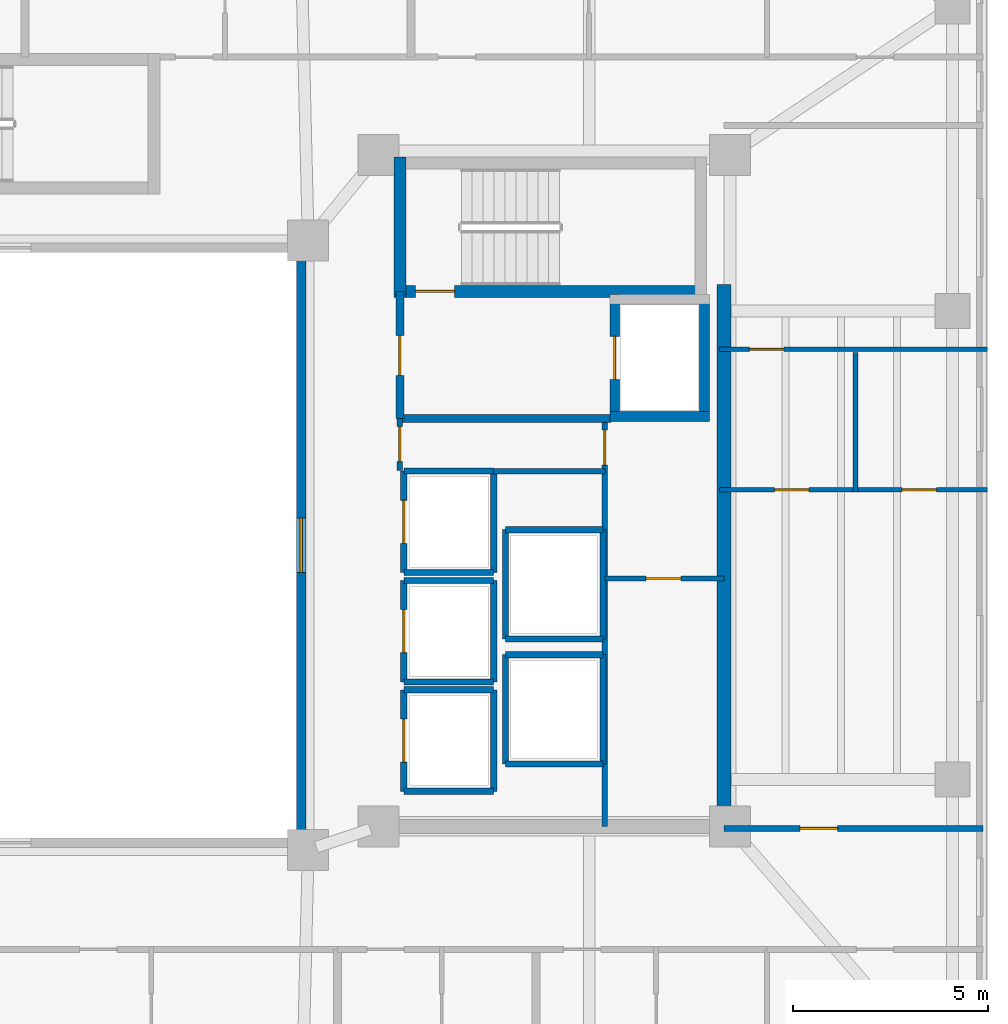
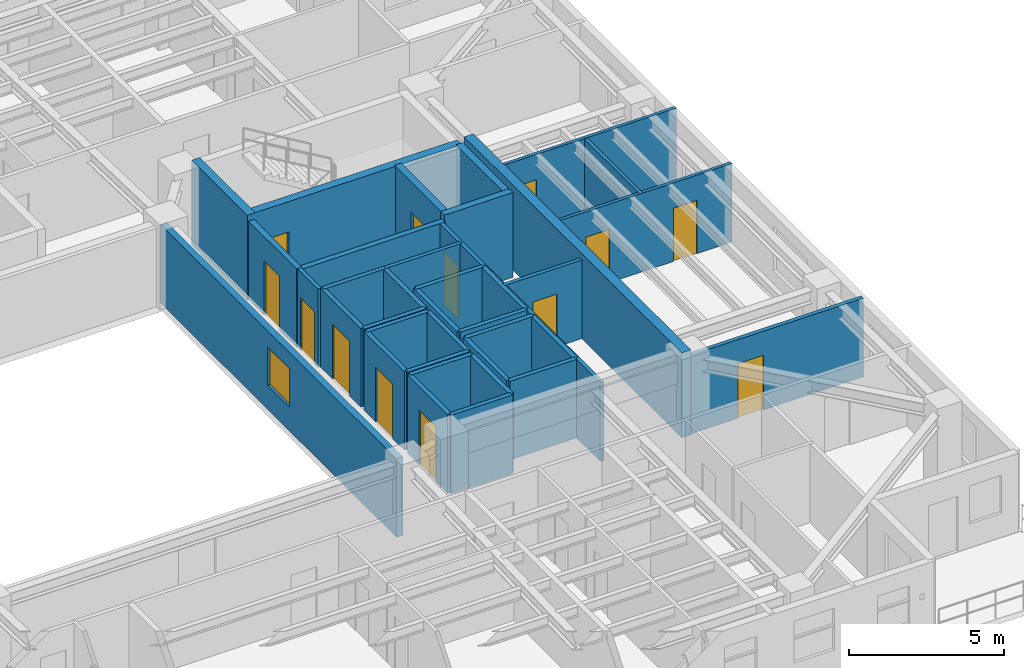
# One storey, part 9 of 17: 37 walls, 13 doors, 1 window, 14 openings.
"""IFC4 building model written with IfcOpenShell, lengths in metres."""

import ifcopenshell
import ifcopenshell.guid

model = None  # the IFC model being written
_history = None  # IfcOwnerHistory: only IFC2X3 demands one
_inside = {}  # id of a spatial element -> (the spatial element, [elements in it])
_under = {}  # id of a project, library or spatial element -> (it, [spatial elements below it])
_declared = {}  # id of a project -> (the project, [libraries it declares])
_typed = {}  # id of a type object -> (the type object, [elements of that type])
_made_of = {}  # id of a material, layer set ... -> (it, [elements and type objects made of it])


def new_model(schema):
    """Start an empty IFC model of exactly this schema.

    Asked for "IFC4X3", IfcOpenShell would pick the latest addendum, in which some entities
    have other attributes; the version numbers below select the first issue.
    IFC2X3 requires an IfcOwnerHistory on every rooted entity: one is made here for all.
    """
    global model, _history
    if schema == "IFC4X3":
        model = ifcopenshell.file(schema_version=(4, 3, 0, 0))
    else:
        model = ifcopenshell.file(schema=schema)
    _inside.clear()
    _under.clear()
    _declared.clear()
    _typed.clear()
    _made_of.clear()
    _history = None
    if model.schema == "IFC2X3":
        org = make("IfcOrganization", Name="unknown")
        user = make(
            "IfcPersonAndOrganization",
            ThePerson=make("IfcPerson", FamilyName="unknown"),
            TheOrganization=org,
        )
        app = make(
            "IfcApplication",
            ApplicationDeveloper=org,
            Version="unknown",
            ApplicationFullName="unknown",
            ApplicationIdentifier="unknown",
        )
        _history = make(
            "IfcOwnerHistory",
            OwningUser=user,
            OwningApplication=app,
            ChangeAction="ADDED",
            CreationDate=0,
        )
    return model


def make(cls, **values):
    """One entity of the class cls with the attributes given. An attribute that is None is left unset."""
    return model.create_entity(
        cls, **{name: value for name, value in values.items() if value is not None}
    )


def rooted(cls, **values):
    """An entity with a GlobalId (a new one), such as an element, a storey or a relation."""
    return make(cls, GlobalId=ifcopenshell.guid.new(), OwnerHistory=_history, **values)


def si_unit(unit_type, name, prefix=None):
    """IfcSIUnit, for example si_unit("LENGTHUNIT", "METRE", prefix="MILLI")."""
    return make("IfcSIUnit", UnitType=unit_type, Prefix=prefix, Name=name)


def assignment(units):
    """IfcUnitAssignment: the units of a project."""
    return None if units is None else make("IfcUnitAssignment", Units=units)


def point(xyz):
    """IfcCartesianPoint."""
    return None if xyz is None else make("IfcCartesianPoint", Coordinates=xyz)


def direction(xyz):
    """IfcDirection."""
    return None if xyz is None else make("IfcDirection", DirectionRatios=xyz)


def frame(location, z_axis=None, x_axis=None):
    """IfcAxis2Placement3D, a coordinate frame: its origin and axes. An axis left out is left unset."""
    return make(
        "IfcAxis2Placement3D",
        Location=point(location),
        Axis=direction(z_axis),
        RefDirection=direction(x_axis),
    )


def frame_2d(location, x_axis=None):
    """IfcAxis2Placement2D, a coordinate frame in the plane: its origin and x axis."""
    return make(
        "IfcAxis2Placement2D", Location=point(location), RefDirection=direction(x_axis)
    )


def origin():
    """The frame at (0, 0, 0) with its axes left unset."""
    return frame((0.0, 0.0, 0.0))


def place(relative_to, where):
    """IfcLocalPlacement: puts the frame where relative to a parent placement (None: the world)."""
    return make(
        "IfcLocalPlacement", PlacementRelTo=relative_to, RelativePlacement=where
    )


def context(
    kind, dimensions, precision=None, world=None, true_north=None, identifier=None
):
    """IfcGeometricRepresentationContext, for example the 3D "Model" context."""
    return make(
        "IfcGeometricRepresentationContext",
        ContextIdentifier=identifier,
        ContextType=kind,
        CoordinateSpaceDimension=dimensions,
        Precision=precision,
        WorldCoordinateSystem=world,
        TrueNorth=true_north,
    )


def subcontext(parent, identifier, kind, view, scale=None):
    """IfcGeometricRepresentationSubContext, for example "Body" below "Model"."""
    return make(
        "IfcGeometricRepresentationSubContext",
        ContextIdentifier=identifier,
        ContextType=kind,
        ParentContext=parent,
        TargetScale=scale,
        TargetView=view,
    )


def project(units=None, contexts=None):
    """IfcProject with its units and contexts."""
    return rooted(
        "IfcProject",
        Name="project",
        RepresentationContexts=contexts,
        UnitsInContext=assignment(units),
    )


def spatial(cls, under=None, at=None, **own):
    """A site, building, storey or space (cls), placed at a placement, below another one or the project."""
    s = rooted(cls, ObjectPlacement=at, **own)
    if under is not None:
        _under.setdefault(under.id(), (under, []))[1].append(s)
    return s


def profile(cls, at=None, kind="AREA", **sizes):
    """A parametric profile (cls). Its sizes go by their IFC names, for example OverallWidth=200.0."""
    return make(cls, ProfileType=kind, Position=at, **sizes)


def rectangle(**sizes):
    """IfcRectangleProfileDef."""
    return profile("IfcRectangleProfileDef", **sizes)


def extrude(swept, where, along, depth):
    """IfcExtrudedAreaSolid: the profile swept, set in the frame where, extruded along a direction by depth."""
    return make(
        "IfcExtrudedAreaSolid",
        SweptArea=swept,
        Position=where,
        ExtrudedDirection=direction(along),
        Depth=depth,
    )


def shape(context_of_items, identifier, shape_type, items):
    """IfcShapeRepresentation: the items that make up one representation, for example the "Body"."""
    return make(
        "IfcShapeRepresentation",
        ContextOfItems=context_of_items,
        RepresentationIdentifier=identifier,
        RepresentationType=shape_type,
        Items=items,
    )


def material(Name=None, Category=None):
    """IfcMaterial."""
    return make("IfcMaterial", Name=Name, Category=Category)


def layer(
    of_material, thickness, ventilated=None, Name=None, Category=None, Priority=None
):
    """IfcMaterialLayer: one layer of a wall or slab, of a material (None: an air gap)."""
    return make(
        "IfcMaterialLayer",
        Material=of_material,
        LayerThickness=thickness,
        IsVentilated=ventilated,
        Name=Name,
        Category=Category,
        Priority=Priority,
    )


def layer_set(layers, Name=None):
    """IfcMaterialLayerSet."""
    return make("IfcMaterialLayerSet", MaterialLayers=layers, LayerSetName=Name)


def made_of(thing, what):
    """Note that an element or type object is made of a material, layer set ...; save() writes the relation."""
    if what is not None:
        _made_of.setdefault(what.id(), (what, []))[1].append(thing)
    return thing


def type_object(cls, material=None, **own):
    """A type object (cls), such as IfcWallType, which elements share."""
    return made_of(rooted(cls, **own), material)


def element(
    cls,
    number,
    at=None,
    inside=None,
    cuts=None,
    type_object=None,
    material=None,
    context=None,
    identifier="Body",
    shape_type=None,
    held_by="IfcProductDefinitionShape",
    body=None,
    shapes=None,
    **own,
):
    """One element of the class cls, such as IfcWall. Its Tag is "e" and its number.

    at: its placement. inside: the storey or other place that contains it. cuts: it is an
    opening in that element (IfcRelVoidsElement). A single representation is given by context,
    identifier, shape_type and body (its items); several are given by shapes. held_by: the class
    of the entity that holds the representations. save() writes the other relations.
    """
    e = rooted(cls, Tag="e%d" % number, ObjectPlacement=at, **own)
    if body is not None:
        shapes = [shape(context, identifier, shape_type, body)]
    if shapes is not None:
        e.Representation = make(held_by, Representations=shapes)
    if inside is not None:
        _inside.setdefault(inside.id(), (inside, []))[1].append(e)
    if cuts is not None:
        rooted(
            "IfcRelVoidsElement", RelatingBuildingElement=cuts, RelatedOpeningElement=e
        )
    if type_object is not None:
        _typed.setdefault(type_object.id(), (type_object, []))[1].append(e)
    return made_of(e, material)


def fill(opening, filler):
    """IfcRelFillsElement: the door or window that sits in an opening."""
    return rooted(
        "IfcRelFillsElement",
        RelatingOpeningElement=opening,
        RelatedBuildingElement=filler,
    )


def aggregate(whole, parts):
    """IfcRelAggregates: a whole, such as a stair, and the parts it consists of."""
    return rooted("IfcRelAggregates", RelatingObject=whole, RelatedObjects=parts)


def save(model, path):
    """Write the relations noted so far, then the file.

    IfcRelAggregates (storeys below a building ...), IfcRelContainedInSpatialStructure (elements
    in a storey), IfcRelDefinesByType, IfcRelAssociatesMaterial and IfcRelDeclares: one each for
    every whole, place, type object, material and project.
    """
    for whole, parts in _under.values():
        aggregate(whole, parts)
    for where, things in _inside.values():
        rooted(
            "IfcRelContainedInSpatialStructure",
            RelatedElements=things,
            RelatingStructure=where,
        )
    for kind, things in _typed.values():
        rooted("IfcRelDefinesByType", RelatedObjects=things, RelatingType=kind)
    for what, things in _made_of.values():
        rooted("IfcRelAssociatesMaterial", RelatedObjects=things, RelatingMaterial=what)
    for by, libraries in _declared.values():
        rooted("IfcRelDeclares", RelatingContext=by, RelatedDefinitions=libraries)
    model.write(path)


model = new_model("IFC4")

# Units and contexts
model_context = context("Model", 3, precision=1e-05, world=origin(), true_north=direction((0.0, 1.0)))
body_context = subcontext(model_context, "Body", "Model", "MODEL_VIEW")
ifc_project = project(units=[si_unit("LENGTHUNIT", "METRE"), si_unit("AREAUNIT", "SQUARE_METRE"), si_unit("VOLUMEUNIT", "CUBIC_METRE"), si_unit("PLANEANGLEUNIT", "RADIAN"), si_unit("MASSUNIT", "GRAM", prefix="KILO")], contexts=[model_context])

# Site, building, storey
site_placement = place(None, origin())
site = spatial("IfcSite", under=ifc_project, at=site_placement, CompositionType="ELEMENT")
building_placement = place(site_placement, origin())
building = spatial("IfcBuilding", under=site, at=building_placement, Name="Tarnavaz Court Tower", CompositionType="ELEMENT")
storey_placement = place(building_placement, frame((0.0, 0.0, 132.60009765625)))
storey = spatial("IfcBuildingStorey", under=building, at=storey_placement, Name="L35", CompositionType="ELEMENT", Elevation=132.60009765625)

# Wall, opening, door
ifc_material_1 = material(Name="Concrete C50/60", Category="concrete")
ifc_layer_1 = layer(ifc_material_1, 0.25)
ifc_layer_set_1 = layer_set([ifc_layer_1], Name="Concrete C50/60")
wall_type_1 = type_object("IfcWallType", Name="WL-CORE-250-C50", PredefinedType="SHEAR", material=ifc_layer_set_1)
wall_1_placement = place(storey_placement, frame((15.64990234375, 3.175048828125, 0.0), z_axis=(0.0, 0.0, 1.0), x_axis=(0.0, 1.0, 0.0)))
wall_1 = element("IfcWall", 1, at=wall_1_placement, inside=storey, type_object=wall_type_1, Name="L35 Lift FL-E1 Shaft Wall 033", PredefinedType="SHEAR", context=body_context, shape_type="SweptSolid", body=[
    extrude(rectangle(XDim=3.25, YDim=0.25, at=frame_2d((1.625, 0.0))), origin(), (0.0, 0.0, 1.0), 3.349853515625),
])
opening_1_placement = place(wall_1_placement, frame((1.074951171875, 0.0, 0.0)))
opening_1 = element("IfcOpeningElement", 2, at=opening_1_placement, cuts=wall_1, Name="Opening LD1", PredefinedType="OPENING", context=body_context, shape_type="SweptSolid", body=[
    extrude(rectangle(XDim=1.10009765625, YDim=2.14990234375, at=frame_2d((0.550048828125, 1.074951171875))), frame((0.0, 0.135009765625, 0.0), z_axis=(0.0, -1.0, 0.0), x_axis=(1.0, 0.0, 0.0)), (0.0, 0.0, 1.0), 0.27001953125),
])
ifc_material_2 = material(Name="Stainless Steel", Category="steel")
door_type_1 = type_object("IfcDoorType", Name="DR-LD-1100", OperationType="NOTDEFINED", PredefinedType="DOOR", material=ifc_material_2)
door_1_placement = place(opening_1_placement, origin())
door_1 = element("IfcDoor", 3, at=door_1_placement, inside=storey, type_object=door_type_1, Name="L35 Lift Landing Door LD-FL-E1", OperationType="SLIDING_TO_LEFT", OverallHeight=2.14990234375, OverallWidth=1.10009765625, PredefinedType="DOOR", context=body_context, shape_type="SweptSolid", body=[
    extrude(rectangle(XDim=1.10009765625, YDim=2.14990234375, at=frame_2d((0.550048828125, 1.074951171875))), frame((0.0, 0.02490234375, 0.0), z_axis=(0.0, -1.0, 0.0), x_axis=(1.0, 0.0, 0.0)), (0.0, 0.0, 1.0), 0.050048828125),
])
fill(opening_1, door_1)

# Walls
wall_2_placement = place(storey_placement, frame((17.949951171875, 3.175048828125, 0.0), z_axis=(0.0, 0.0, 1.0), x_axis=(0.0, 1.0, 0.0)))
element("IfcWall", 4, at=wall_2_placement, inside=storey, type_object=wall_type_1, Name="L35 Lift FL-E1 Shaft Wall 034", PredefinedType="SHEAR", context=body_context, shape_type="SweptSolid", body=[
    extrude(rectangle(XDim=3.25, YDim=0.25, at=frame_2d((1.625, 0.0))), origin(), (0.0, 0.0, 1.0), 3.349853515625),
])
wall_3_placement = place(storey_placement, frame((15.52490234375, 3.300048828125, 0.0), z_axis=(0.0, 0.0, 1.0), x_axis=(1.0, 0.0, 0.0)))
element("IfcWall", 5, at=wall_3_placement, inside=storey, type_object=wall_type_1, Name="L35 Lift FL-E1 Shaft Wall 035", PredefinedType="SHEAR", context=body_context, shape_type="SweptSolid", body=[
    extrude(rectangle(XDim=2.550048828125, YDim=0.25, at=frame_2d((1.27490234375, 0.0))), origin(), (0.0, 0.0, 1.0), 3.349853515625),
])

# Wall, opening, door
ifc_layer_2 = layer(ifc_material_1, 0.300048828125)
ifc_layer_set_2 = layer_set([ifc_layer_2], Name="Concrete C50/60")
wall_type_2 = type_object("IfcWallType", Name="WL-CORE-300-C50", PredefinedType="SHEAR", material=ifc_layer_set_2)
wall_4_placement = place(storey_placement, frame((10.0, 6.5, 0.0), z_axis=(0.0, 0.0, 1.0), x_axis=(1.0, 0.0, 0.0)))
wall_4 = element("IfcWall", 6, at=wall_4_placement, inside=storey, type_object=wall_type_2, Name="L35 East Stair Core Wall 006", PredefinedType="SHEAR", context=body_context, shape_type="SweptSolid", body=[
    extrude(rectangle(XDim=8.0, YDim=0.300048828125, at=frame_2d((4.0, 0.0))), origin(), (0.0, 0.0, 1.0), 3.349853515625),
])
opening_2_placement = place(wall_4_placement, frame((0.550048828125, 0.0, 0.0)))
opening_2 = element("IfcOpeningElement", 7, at=opening_2_placement, cuts=wall_4, Name="Opening D01", PredefinedType="OPENING", context=body_context, shape_type="SweptSolid", body=[
    extrude(rectangle(XDim=1.0, YDim=2.14990234375, at=frame_2d((0.5, 1.074951171875))), frame((0.0, 0.159912109375, 0.0), z_axis=(0.0, -1.0, 0.0), x_axis=(1.0, 0.0, 0.0)), (0.0, 0.0, 1.0), 0.320068359375),
])
ifc_material_3 = material(Name="Fire-Rated Hardwood Timber Core", Category="wood")
door_type_2 = type_object("IfcDoorType", Name="DR-FD90-1000", OperationType="NOTDEFINED", PredefinedType="DOOR", material=ifc_material_3)
door_2_placement = place(opening_2_placement, origin())
door_2 = element("IfcDoor", 8, at=door_2_placement, inside=storey, type_object=door_type_2, Name="L35 Stair ST-E1 Exit Door", OperationType="SINGLE_SWING_RIGHT", OverallHeight=2.14990234375, OverallWidth=1.0, PredefinedType="DOOR", context=body_context, shape_type="SweptSolid", body=[
    extrude(rectangle(XDim=1.0, YDim=2.14990234375, at=frame_2d((0.5, 1.074951171875))), frame((0.0, 0.02490234375, 0.0), z_axis=(0.0, -1.0, 0.0), x_axis=(1.0, 0.0, 0.0)), (0.0, 0.0, 1.0), 0.050048828125),
])
fill(opening_2, door_2)

# Walls
wall_5_placement = place(storey_placement, frame((10.14990234375, 6.35009765625, 0.0), z_axis=(0.0, 0.0, 1.0), x_axis=(0.0, 1.0, 0.0)))
element("IfcWall", 9, at=wall_5_placement, inside=storey, type_object=wall_type_2, Name="L35 East Stair Core Wall 007", PredefinedType="SHEAR", context=body_context, shape_type="SweptSolid", body=[
    extrude(rectangle(XDim=3.58984375, YDim=0.300048828125, at=frame_2d((1.794921875, 0.0))), origin(), (0.0, 0.0, 1.0), 3.349853515625),
])
ifc_layer_3 = layer(ifc_material_1, 0.35009765625)
ifc_layer_set_3 = layer_set([ifc_layer_3], Name="Concrete C50/60")
wall_type_3 = type_object("IfcWallType", Name="WL-CORE-350-C50", PredefinedType="SHEAR", material=ifc_layer_set_3)
wall_6_placement = place(storey_placement, frame((18.449951171875, -7.375, 0.0), z_axis=(0.0, 0.0, 1.0), x_axis=(0.0, 1.0, 0.0)))
element("IfcWall", 10, at=wall_6_placement, inside=storey, type_object=wall_type_3, Name="L35 East Core Shear Wall 059", PredefinedType="SHEAR", context=body_context, shape_type="SweptSolid", body=[
    extrude(rectangle(XDim=14.050048828125, YDim=0.35009765625, at=frame_2d((7.02490234375, 0.0))), origin(), (0.0, 0.0, 1.0), 3.349853515625),
])

# Wall, opening, door
ifc_material_4 = material(Name="Gypsum Fire-Board on Acoustic Metal Stud", Category="masonry")
ifc_layer_4 = layer(ifc_material_4, 0.14990234375)
ifc_layer_set_4 = layer_set([ifc_layer_4], Name="Gypsum Fire-Board on Acoustic Metal Stud")
wall_type_4 = type_object("IfcWallType", Name="WL-FIRE-150", PredefinedType="PARTITIONING", material=ifc_layer_set_4)
wall_7_placement = place(storey_placement, frame((18.449951171875, -7.25, 0.0), z_axis=(0.0, 0.0, 1.0), x_axis=(1.0, 0.0, 0.0)))
wall_7 = element("IfcWall", 11, at=wall_7_placement, inside=storey, type_object=wall_type_4, Name="L35 Interior Partition 116", PredefinedType="PARTITIONING", context=body_context, shape_type="SweptSolid", body=[
    extrude(rectangle(XDim=6.630126953125, YDim=0.14990234375, at=frame_2d((3.31494140625, 0.0))), origin(), (0.0, 0.0, 1.0), 3.099853515625),
])
opening_3_placement = place(wall_7_placement, frame((1.949951171875, 0.0, 0.0)))
opening_3 = element("IfcOpeningElement", 12, at=opening_3_placement, cuts=wall_7, Name="Opening D06", PredefinedType="OPENING", context=body_context, shape_type="SweptSolid", body=[
    extrude(rectangle(XDim=0.9599609375, YDim=2.14990234375, at=frame_2d((0.47998046875, 1.074951171875))), frame((0.0, 0.0849609375, 0.0), z_axis=(0.0, -1.0, 0.0), x_axis=(1.0, 0.0, 0.0)), (0.0, 0.0, 1.0), 0.169921875),
])
door_type_3 = type_object("IfcDoorType", Name="DR-FD60-950", OperationType="NOTDEFINED", PredefinedType="DOOR", material=ifc_material_3)
door_3_placement = place(opening_3_placement, origin())
door_3 = element("IfcDoor", 13, at=door_3_placement, inside=storey, type_object=door_type_3, Name="L35 Flat 12 Entrance Door", OperationType="SINGLE_SWING_LEFT", OverallHeight=2.14990234375, OverallWidth=0.9599609375, PredefinedType="DOOR", context=body_context, shape_type="SweptSolid", body=[
    extrude(rectangle(XDim=0.9599609375, YDim=2.14990234375, at=frame_2d((0.47998046875, 1.074951171875))), frame((0.0, 0.02490234375, 0.0), z_axis=(0.0, -1.0, 0.0), x_axis=(1.0, 0.0, 0.0)), (0.0, 0.0, 1.0), 0.050048828125),
])
fill(opening_3, door_3)

# Wall
ifc_material_5 = material(Name="Autoclaved Aerated Concrete Blockwork", Category="masonry")
ifc_layer_5 = layer(ifc_material_5, 0.199951171875)
ifc_layer_set_5 = layer_set([ifc_layer_5], Name="Autoclaved Aerated Concrete Blockwork")
wall_type_5 = type_object("IfcWallType", Name="WL-FIRE-200", PredefinedType="SOLIDWALL", material=ifc_layer_set_5)
wall_8_placement = place(storey_placement, frame((10.14990234375, 3.25, 0.0), z_axis=(0.0, 0.0, 1.0), x_axis=(1.0, 0.0, 0.0)))
element("IfcWall", 14, at=wall_8_placement, inside=storey, type_object=wall_type_5, Name="L35 East Firefighting Lobby Wall 015", PredefinedType="SOLIDWALL", context=body_context, shape_type="SweptSolid", body=[
    extrude(rectangle(XDim=5.400146484375, YDim=0.199951171875, at=frame_2d((2.7001953125, 0.0))), origin(), (0.0, 0.0, 1.0), 3.099853515625),
])

# Wall, opening, door
wall_9_placement = place(storey_placement, frame((10.14990234375, 3.25, 0.0), z_axis=(0.0, 0.0, 1.0), x_axis=(0.0, 1.0, 0.0)))
wall_9 = element("IfcWall", 15, at=wall_9_placement, inside=storey, type_object=wall_type_5, Name="L35 East Firefighting Lobby Wall 016", PredefinedType="SOLIDWALL", context=body_context, shape_type="SweptSolid", body=[
    extrude(rectangle(XDim=3.25, YDim=0.199951171875, at=frame_2d((1.625, 0.0))), origin(), (0.0, 0.0, 1.0), 3.099853515625),
])
opening_4_placement = place(wall_9_placement, frame((1.10009765625, 0.0, 0.0)))
opening_4 = element("IfcOpeningElement", 16, at=opening_4_placement, cuts=wall_9, Name="Opening D05", PredefinedType="OPENING", context=body_context, shape_type="SweptSolid", body=[
    extrude(rectangle(XDim=1.02001953125, YDim=2.14990234375, at=frame_2d((0.510009765625, 1.074951171875))), frame((0.0, 0.10986328125, 0.0), z_axis=(0.0, -1.0, 0.0), x_axis=(1.0, 0.0, 0.0)), (0.0, 0.0, 1.0), 0.219970703125),
])
door_type_4 = type_object("IfcDoorType", Name="DR-FD60-1000", OperationType="NOTDEFINED", PredefinedType="DOOR", material=ifc_material_3)
door_4_placement = place(opening_4_placement, origin())
door_4 = element("IfcDoor", 17, at=door_4_placement, inside=storey, type_object=door_type_4, Name="L35 East Firefighting Lobby Door", OperationType="SINGLE_SWING_LEFT", OverallHeight=2.14990234375, OverallWidth=1.02001953125, PredefinedType="DOOR", context=body_context, shape_type="SweptSolid", body=[
    extrude(rectangle(XDim=1.02001953125, YDim=2.14990234375, at=frame_2d((0.510009765625, 1.074951171875))), frame((0.0, 0.02490234375, 0.0), z_axis=(0.0, -1.0, 0.0), x_axis=(1.0, 0.0, 0.0)), (0.0, 0.0, 1.0), 0.050048828125),
])
fill(opening_4, door_4)

# Wall, openings, doors
ifc_material_6 = material(Name="Moisture-Resistant Gypsum Board Partition", Category="masonry")
ifc_layer_6 = layer(ifc_material_6, 0.1201171875)
ifc_layer_set_6 = layer_set([ifc_layer_6], Name="Moisture-Resistant Gypsum Board Partition")
wall_type_6 = type_object("IfcWallType", Name="WL-PART-120", PredefinedType="PARTITIONING", material=ifc_layer_set_6)
wall_10_placement = place(storey_placement, frame((18.330078125, 1.419921875, 0.0), z_axis=(0.0, 0.0, 1.0), x_axis=(1.0, 0.0, 0.0)))
wall_10 = element("IfcWall", 18, at=wall_10_placement, inside=storey, type_object=wall_type_6, Name="L35 Interior Partition 129", PredefinedType="PARTITIONING", context=body_context, shape_type="SweptSolid", body=[
    extrude(rectangle(XDim=6.869873046875, YDim=0.1201171875, at=frame_2d((3.43505859375, 0.0))), origin(), (0.0, 0.0, 1.0), 3.099853515625),
])
opening_5_placement = place(wall_10_placement, frame((1.4130859375, 0.0, 0.0)))
opening_5 = element("IfcOpeningElement", 19, at=opening_5_placement, cuts=wall_10, Name="Opening D14", PredefinedType="OPENING", context=body_context, shape_type="SweptSolid", body=[
    extrude(rectangle(XDim=0.8798828125, YDim=2.10009765625, at=frame_2d((0.43994140625, 1.050048828125))), frame((0.0, 0.070068359375, 0.0), z_axis=(0.0, -1.0, 0.0), x_axis=(1.0, 0.0, 0.0)), (0.0, 0.0, 1.0), 0.14013671875),
])
opening_6_placement = place(wall_10_placement, frame((4.677978515625, 0.0, 0.0)))
opening_6 = element("IfcOpeningElement", 20, at=opening_6_placement, cuts=wall_10, Name="Opening D14", PredefinedType="OPENING", context=body_context, shape_type="SweptSolid", body=[
    extrude(rectangle(XDim=0.8798828125, YDim=2.10009765625, at=frame_2d((0.43994140625, 1.050048828125))), frame((0.0, 0.070068359375, 0.0), z_axis=(0.0, -1.0, 0.0), x_axis=(1.0, 0.0, 0.0)), (0.0, 0.0, 1.0), 0.14013671875),
])
ifc_material_7 = material(Name="Engineered Oak Timber", Category="wood")
door_type_5 = type_object("IfcDoorType", Name="DR-INT-900", OperationType="NOTDEFINED", PredefinedType="DOOR", material=ifc_material_7)
door_5_placement = place(opening_5_placement, origin())
door_5 = element("IfcDoor", 21, at=door_5_placement, inside=storey, type_object=door_type_5, Name="L35 Flat 12 Kitchen Door", OperationType="SINGLE_SWING_RIGHT", OverallHeight=2.10009765625, OverallWidth=0.8798828125, PredefinedType="DOOR", context=body_context, shape_type="SweptSolid", body=[
    extrude(rectangle(XDim=0.8798828125, YDim=2.10009765625, at=frame_2d((0.43994140625, 1.050048828125))), frame((0.0, 0.02490234375, 0.0), z_axis=(0.0, -1.0, 0.0), x_axis=(1.0, 0.0, 0.0)), (0.0, 0.0, 1.0), 0.050048828125),
])
fill(opening_5, door_5)
door_6_placement = place(opening_6_placement, origin())
door_6 = element("IfcDoor", 22, at=door_6_placement, inside=storey, type_object=door_type_5, Name="L35 Flat 12 Bathroom Door", OperationType="SINGLE_SWING_LEFT", OverallHeight=2.10009765625, OverallWidth=0.8798828125, PredefinedType="DOOR", context=body_context, shape_type="SweptSolid", body=[
    extrude(rectangle(XDim=0.8798828125, YDim=2.10009765625, at=frame_2d((0.43994140625, 1.050048828125))), frame((0.0, 0.02490234375, 0.0), z_axis=(0.0, -1.0, 0.0), x_axis=(1.0, 0.0, 0.0)), (0.0, 0.0, 1.0), 0.050048828125),
])
fill(opening_6, door_6)

# Wall, opening, door
wall_11_placement = place(storey_placement, frame((18.330078125, 5.02001953125, 0.0), z_axis=(0.0, 0.0, 1.0), x_axis=(1.0, 0.0, 0.0)))
wall_11 = element("IfcWall", 23, at=wall_11_placement, inside=storey, type_object=wall_type_6, Name="L35 Interior Partition 130", PredefinedType="PARTITIONING", context=body_context, shape_type="SweptSolid", body=[
    extrude(rectangle(XDim=6.869873046875, YDim=0.1201171875, at=frame_2d((3.43505859375, 0.0))), origin(), (0.0, 0.0, 1.0), 3.099853515625),
])
opening_7_placement = place(wall_11_placement, frame((0.77001953125, 0.0, 0.0)))
opening_7 = element("IfcOpeningElement", 24, at=opening_7_placement, cuts=wall_11, Name="Opening D14", PredefinedType="OPENING", context=body_context, shape_type="SweptSolid", body=[
    extrude(rectangle(XDim=0.8798828125, YDim=2.10009765625, at=frame_2d((0.43994140625, 1.050048828125))), frame((0.0, 0.070068359375, 0.0), z_axis=(0.0, -1.0, 0.0), x_axis=(1.0, 0.0, 0.0)), (0.0, 0.0, 1.0), 0.14013671875),
])
door_7_placement = place(opening_7_placement, origin())
door_7 = element("IfcDoor", 25, at=door_7_placement, inside=storey, type_object=door_type_5, Name="L35 Flat 12 Study Door", OperationType="SINGLE_SWING_RIGHT", OverallHeight=2.10009765625, OverallWidth=0.8798828125, PredefinedType="DOOR", context=body_context, shape_type="SweptSolid", body=[
    extrude(rectangle(XDim=0.8798828125, YDim=2.10009765625, at=frame_2d((0.43994140625, 1.050048828125))), frame((0.0, 0.02490234375, 0.0), z_axis=(0.0, -1.0, 0.0), x_axis=(1.0, 0.0, 0.0)), (0.0, 0.0, 1.0), 0.050048828125),
])
fill(opening_7, door_7)

# Walls
wall_12_placement = place(storey_placement, frame((21.81494140625, 1.360107421875, 0.0), z_axis=(0.0, 0.0, 1.0), x_axis=(0.0, 1.0, 0.0)))
element("IfcWall", 26, at=wall_12_placement, inside=storey, type_object=wall_type_6, Name="L35 Interior Partition 131", PredefinedType="PARTITIONING", context=body_context, shape_type="SweptSolid", body=[
    extrude(rectangle(XDim=3.579833984375, YDim=0.1201171875, at=frame_2d((1.7900390625, 0.0))), origin(), (0.0, 0.0, 1.0), 3.099853515625),
])
ifc_material_8 = material(Name="Gypsum Plasterboard Acoustic Partition", Category="masonry")
ifc_layer_7 = layer(ifc_material_8, 0.139892578125)
ifc_layer_set_7 = layer_set([ifc_layer_7], Name="Gypsum Plasterboard Acoustic Partition")
wall_type_7 = type_object("IfcWallType", Name="WL-PART-150", PredefinedType="PARTITIONING", material=ifc_layer_set_7)
wall_13_placement = place(storey_placement, frame((12.550048828125, 1.89990234375, 0.0), z_axis=(0.0, 0.0, 1.0), x_axis=(1.0, 0.0, 0.0)))
element("IfcWall", 27, at=wall_13_placement, inside=storey, type_object=wall_type_7, Name="L35 Interior Partition 067", PredefinedType="PARTITIONING", context=body_context, shape_type="SweptSolid", body=[
    extrude(rectangle(XDim=2.849853515625, YDim=0.139892578125, at=frame_2d((1.4248046875, 0.0))), origin(), (0.0, 0.0, 1.0), 3.099853515625),
])

# Wall, opening, door
wall_14_placement = place(storey_placement, frame((10.14990234375, 1.919921875, 0.0), z_axis=(0.0, 0.0, 1.0), x_axis=(0.0, 1.0, 0.0)))
wall_14 = element("IfcWall", 28, at=wall_14_placement, inside=storey, type_object=wall_type_7, Name="L35 Interior Partition 068", PredefinedType="PARTITIONING", context=body_context, shape_type="SweptSolid", body=[
    extrude(rectangle(XDim=1.330078125, YDim=0.139892578125, at=frame_2d((0.6650390625, 0.0))), origin(), (0.0, 0.0, 1.0), 3.099853515625),
])
opening_8_placement = place(wall_14_placement, frame((0.219970703125, 0.0, 0.0)))
opening_8 = element("IfcOpeningElement", 29, at=opening_8_placement, cuts=wall_14, Name="Opening D09", PredefinedType="OPENING", context=body_context, shape_type="SweptSolid", body=[
    extrude(rectangle(XDim=0.89990234375, YDim=2.080078125, at=frame_2d((0.449951171875, 1.0400390625))), frame((0.0, 0.079833984375, 0.0), z_axis=(0.0, -1.0, 0.0), x_axis=(1.0, 0.0, 0.0)), (0.0, 0.0, 1.0), 0.159912109375),
])
door_type_6 = type_object("IfcDoorType", Name="DR-FD30-900", OperationType="NOTDEFINED", PredefinedType="DOOR", material=ifc_material_3)
door_8_placement = place(opening_8_placement, origin())
door_8 = element("IfcDoor", 30, at=door_8_placement, inside=storey, type_object=door_type_6, Name="L35 East Core Service Lobby Door", OperationType="SINGLE_SWING_RIGHT", OverallHeight=2.080078125, OverallWidth=0.89990234375, PredefinedType="DOOR", context=body_context, shape_type="SweptSolid", body=[
    extrude(rectangle(XDim=0.89990234375, YDim=2.080078125, at=frame_2d((0.449951171875, 1.0400390625))), frame((0.0, 0.02490234375, 0.0), z_axis=(0.0, -1.0, 0.0), x_axis=(1.0, 0.0, 0.0)), (0.0, 0.0, 1.0), 0.050048828125),
])
fill(opening_8, door_8)

wall_15_placement = place(storey_placement, frame((15.39990234375, -7.199951171875, 0.0), z_axis=(0.0, 0.0, 1.0), x_axis=(0.0, 1.0, 0.0)))
wall_15 = element("IfcWall", 31, at=wall_15_placement, inside=storey, type_object=wall_type_7, Name="L35 Interior Partition 069", PredefinedType="PARTITIONING", context=body_context, shape_type="SweptSolid", body=[
    extrude(rectangle(XDim=10.449951171875, YDim=0.139892578125, at=frame_2d((5.22509765625, 0.0))), origin(), (0.0, 0.0, 1.0), 3.099853515625),
])
opening_9_placement = place(wall_15_placement, frame((9.25, 0.0, 0.0)))
opening_9 = element("IfcOpeningElement", 32, at=opening_9_placement, cuts=wall_15, Name="Opening D09", PredefinedType="OPENING", context=body_context, shape_type="SweptSolid", body=[
    extrude(rectangle(XDim=0.89990234375, YDim=2.080078125, at=frame_2d((0.449951171875, 1.0400390625))), frame((0.0, 0.079833984375, 0.0), z_axis=(0.0, -1.0, 0.0), x_axis=(1.0, 0.0, 0.0)), (0.0, 0.0, 1.0), 0.159912109375),
])
door_9_placement = place(opening_9_placement, origin())
door_9 = element("IfcDoor", 33, at=door_9_placement, inside=storey, type_object=door_type_6, Name="L35 East Wet Riser Door", OperationType="SINGLE_SWING_LEFT", OverallHeight=2.080078125, OverallWidth=0.89990234375, PredefinedType="DOOR", context=body_context, shape_type="SweptSolid", body=[
    extrude(rectangle(XDim=0.89990234375, YDim=2.080078125, at=frame_2d((0.449951171875, 1.0400390625))), frame((0.0, 0.02490234375, 0.0), z_axis=(0.0, -1.0, 0.0), x_axis=(1.0, 0.0, 0.0)), (0.0, 0.0, 1.0), 0.050048828125),
])
fill(opening_9, door_9)

wall_16_placement = place(storey_placement, frame((15.39990234375, -0.85009765625, 0.0), z_axis=(0.0, 0.0, 1.0), x_axis=(1.0, 0.0, 0.0)))
wall_16 = element("IfcWall", 34, at=wall_16_placement, inside=storey, type_object=wall_type_7, Name="L35 Interior Partition 070", PredefinedType="PARTITIONING", context=body_context, shape_type="SweptSolid", body=[
    extrude(rectangle(XDim=3.050048828125, YDim=0.139892578125, at=frame_2d((1.52490234375, 0.0))), origin(), (0.0, 0.0, 1.0), 3.099853515625),
])
opening_10_placement = place(wall_16_placement, frame((1.050048828125, 0.0, 0.0)))
opening_10 = element("IfcOpeningElement", 35, at=opening_10_placement, cuts=wall_16, Name="Opening D09", PredefinedType="OPENING", context=body_context, shape_type="SweptSolid", body=[
    extrude(rectangle(XDim=0.89990234375, YDim=2.080078125, at=frame_2d((0.449951171875, 1.0400390625))), frame((0.0, 0.079833984375, 0.0), z_axis=(0.0, -1.0, 0.0), x_axis=(1.0, 0.0, 0.0)), (0.0, 0.0, 1.0), 0.159912109375),
])
door_10_placement = place(opening_10_placement, origin())
door_10 = element("IfcDoor", 36, at=door_10_placement, inside=storey, type_object=door_type_6, Name="L35 East Electrical Plant Door", OperationType="SINGLE_SWING_RIGHT", OverallHeight=2.080078125, OverallWidth=0.89990234375, PredefinedType="DOOR", context=body_context, shape_type="SweptSolid", body=[
    extrude(rectangle(XDim=0.89990234375, YDim=2.080078125, at=frame_2d((0.449951171875, 1.0400390625))), frame((0.0, 0.02490234375, 0.0), z_axis=(0.0, -1.0, 0.0), x_axis=(1.0, 0.0, 0.0)), (0.0, 0.0, 1.0), 0.050048828125),
])
fill(opening_10, door_10)

ifc_layer_8 = layer(ifc_material_5, 0.159912109375)
ifc_layer_set_8 = layer_set([ifc_layer_8], Name="Autoclaved Aerated Concrete Blockwork")
wall_type_8 = type_object("IfcWallType", Name="WL-SHAFT-150", PredefinedType="SOLIDWALL", material=ifc_layer_set_8)
wall_17_placement = place(storey_placement, frame((10.25, -6.300048828125, 0.0), z_axis=(0.0, 0.0, 1.0), x_axis=(0.0, 1.0, 0.0)))
wall_17 = element("IfcWall", 37, at=wall_17_placement, inside=storey, type_object=wall_type_8, Name="L35 Lift PL-M1 Shaft Wall 037", PredefinedType="SOLIDWALL", context=body_context, shape_type="SweptSolid", body=[
    extrude(rectangle(XDim=2.60009765625, YDim=0.159912109375, at=frame_2d((1.300048828125, 0.0))), origin(), (0.0, 0.0, 1.0), 3.099853515625),
])
opening_11_placement = place(wall_17_placement, frame((0.75, 0.0, 0.0)))
opening_11 = element("IfcOpeningElement", 38, at=opening_11_placement, cuts=wall_17, Name="Opening LD1", PredefinedType="OPENING", context=body_context, shape_type="SweptSolid", body=[
    extrude(rectangle(XDim=1.10009765625, YDim=2.14990234375, at=frame_2d((0.550048828125, 1.074951171875))), frame((0.0, 0.08984375, 0.0), z_axis=(0.0, -1.0, 0.0), x_axis=(1.0, 0.0, 0.0)), (0.0, 0.0, 1.0), 0.179931640625),
])
door_11_placement = place(opening_11_placement, origin())
door_11 = element("IfcDoor", 39, at=door_11_placement, inside=storey, type_object=door_type_1, Name="L35 Lift Landing Door LD-PL-M1", OperationType="SLIDING_TO_LEFT", OverallHeight=2.14990234375, OverallWidth=1.10009765625, PredefinedType="DOOR", context=body_context, shape_type="SweptSolid", body=[
    extrude(rectangle(XDim=1.10009765625, YDim=2.14990234375, at=frame_2d((0.550048828125, 1.074951171875))), frame((0.0, 0.02490234375, 0.0), z_axis=(0.0, -1.0, 0.0), x_axis=(1.0, 0.0, 0.0)), (0.0, 0.0, 1.0), 0.050048828125),
])
fill(opening_11, door_11)

# Walls
wall_18_placement = place(storey_placement, frame((12.550048828125, -6.300048828125, 0.0), z_axis=(0.0, 0.0, 1.0), x_axis=(0.0, 1.0, 0.0)))
element("IfcWall", 40, at=wall_18_placement, inside=storey, type_object=wall_type_8, Name="L35 Lift PL-M1 Shaft Wall 038", PredefinedType="SOLIDWALL", context=body_context, shape_type="SweptSolid", body=[
    extrude(rectangle(XDim=2.60009765625, YDim=0.159912109375, at=frame_2d((1.300048828125, 0.0))), origin(), (0.0, 0.0, 1.0), 3.099853515625),
])
for number, where, z_axis, x_axis, name in (
    (41, (10.25, -6.300048828125, 0.0), (0.0, 0.0, 1.0), (1.0, 0.0, 0.0), "L35 Lift PL-M1 Shaft Wall 039"),
    (42, (10.25, -3.699951171875, 0.0), (0.0, 0.0, 1.0), (1.0, 0.0, 0.0), "L35 Lift PL-M1 Shaft Wall 040"),
):
    element("IfcWall", number, at=place(storey_placement, frame(where, z_axis=z_axis, x_axis=x_axis)), inside=storey, type_object=wall_type_8, Name=name, PredefinedType="SOLIDWALL", context=body_context, shape_type="SweptSolid", body=[
        extrude(rectangle(XDim=2.300048828125, YDim=0.159912109375, at=frame_2d((1.14990234375, 0.0))), origin(), (0.0, 0.0, 1.0), 3.099853515625),
    ])

# Wall, opening, door
wall_19_placement = place(storey_placement, frame((10.25, -3.5, 0.0), z_axis=(0.0, 0.0, 1.0), x_axis=(0.0, 1.0, 0.0)))
wall_19 = element("IfcWall", 43, at=wall_19_placement, inside=storey, type_object=wall_type_8, Name="L35 Lift PL-M2 Shaft Wall 041", PredefinedType="SOLIDWALL", context=body_context, shape_type="SweptSolid", body=[
    extrude(rectangle(XDim=2.60009765625, YDim=0.159912109375, at=frame_2d((1.300048828125, 0.0))), origin(), (0.0, 0.0, 1.0), 3.099853515625),
])
opening_12_placement = place(wall_19_placement, frame((0.75, 0.0, 0.0)))
opening_12 = element("IfcOpeningElement", 44, at=opening_12_placement, cuts=wall_19, Name="Opening LD1", PredefinedType="OPENING", context=body_context, shape_type="SweptSolid", body=[
    extrude(rectangle(XDim=1.10009765625, YDim=2.14990234375, at=frame_2d((0.550048828125, 1.074951171875))), frame((0.0, 0.08984375, 0.0), z_axis=(0.0, -1.0, 0.0), x_axis=(1.0, 0.0, 0.0)), (0.0, 0.0, 1.0), 0.179931640625),
])
door_12_placement = place(opening_12_placement, origin())
door_12 = element("IfcDoor", 45, at=door_12_placement, inside=storey, type_object=door_type_1, Name="L35 Lift Landing Door LD-PL-M2", OperationType="SLIDING_TO_LEFT", OverallHeight=2.14990234375, OverallWidth=1.10009765625, PredefinedType="DOOR", context=body_context, shape_type="SweptSolid", body=[
    extrude(rectangle(XDim=1.10009765625, YDim=2.14990234375, at=frame_2d((0.550048828125, 1.074951171875))), frame((0.0, 0.02490234375, 0.0), z_axis=(0.0, -1.0, 0.0), x_axis=(1.0, 0.0, 0.0)), (0.0, 0.0, 1.0), 0.050048828125),
])
fill(opening_12, door_12)

# Walls
wall_20_placement = place(storey_placement, frame((12.550048828125, -3.5, 0.0), z_axis=(0.0, 0.0, 1.0), x_axis=(0.0, 1.0, 0.0)))
element("IfcWall", 46, at=wall_20_placement, inside=storey, type_object=wall_type_8, Name="L35 Lift PL-M2 Shaft Wall 042", PredefinedType="SOLIDWALL", context=body_context, shape_type="SweptSolid", body=[
    extrude(rectangle(XDim=2.60009765625, YDim=0.159912109375, at=frame_2d((1.300048828125, 0.0))), origin(), (0.0, 0.0, 1.0), 3.099853515625),
])
for number, where, z_axis, x_axis, name in (
    (47, (10.25, -3.5, 0.0), (0.0, 0.0, 1.0), (1.0, 0.0, 0.0), "L35 Lift PL-M2 Shaft Wall 043"),
    (48, (10.25, -0.89990234375, 0.0), (0.0, 0.0, 1.0), (1.0, 0.0, 0.0), "L35 Lift PL-M2 Shaft Wall 044"),
):
    element("IfcWall", number, at=place(storey_placement, frame(where, z_axis=z_axis, x_axis=x_axis)), inside=storey, type_object=wall_type_8, Name=name, PredefinedType="SOLIDWALL", context=body_context, shape_type="SweptSolid", body=[
        extrude(rectangle(XDim=2.300048828125, YDim=0.159912109375, at=frame_2d((1.14990234375, 0.0))), origin(), (0.0, 0.0, 1.0), 3.099853515625),
    ])

# Wall, opening, door
wall_21_placement = place(storey_placement, frame((10.25, -0.699951171875, 0.0), z_axis=(0.0, 0.0, 1.0), x_axis=(0.0, 1.0, 0.0)))
wall_21 = element("IfcWall", 49, at=wall_21_placement, inside=storey, type_object=wall_type_8, Name="L35 Lift PL-M3 Shaft Wall 045", PredefinedType="SOLIDWALL", context=body_context, shape_type="SweptSolid", body=[
    extrude(rectangle(XDim=2.599853515625, YDim=0.159912109375, at=frame_2d((1.2998046875, 0.0))), origin(), (0.0, 0.0, 1.0), 3.099853515625),
])
opening_13_placement = place(wall_21_placement, frame((0.75, 0.0, 0.0)))
opening_13 = element("IfcOpeningElement", 50, at=opening_13_placement, cuts=wall_21, Name="Opening LD1", PredefinedType="OPENING", context=body_context, shape_type="SweptSolid", body=[
    extrude(rectangle(XDim=1.10009765625, YDim=2.14990234375, at=frame_2d((0.550048828125, 1.074951171875))), frame((0.0, 0.08984375, 0.0), z_axis=(0.0, -1.0, 0.0), x_axis=(1.0, 0.0, 0.0)), (0.0, 0.0, 1.0), 0.179931640625),
])
door_13_placement = place(opening_13_placement, origin())
door_13 = element("IfcDoor", 51, at=door_13_placement, inside=storey, type_object=door_type_1, Name="L35 Lift Landing Door LD-PL-M3", OperationType="SLIDING_TO_LEFT", OverallHeight=2.14990234375, OverallWidth=1.10009765625, PredefinedType="DOOR", context=body_context, shape_type="SweptSolid", body=[
    extrude(rectangle(XDim=1.10009765625, YDim=2.14990234375, at=frame_2d((0.550048828125, 1.074951171875))), frame((0.0, 0.02490234375, 0.0), z_axis=(0.0, -1.0, 0.0), x_axis=(1.0, 0.0, 0.0)), (0.0, 0.0, 1.0), 0.050048828125),
])
fill(opening_13, door_13)

# Walls
wall_22_placement = place(storey_placement, frame((12.550048828125, -0.699951171875, 0.0), z_axis=(0.0, 0.0, 1.0), x_axis=(0.0, 1.0, 0.0)))
element("IfcWall", 52, at=wall_22_placement, inside=storey, type_object=wall_type_8, Name="L35 Lift PL-M3 Shaft Wall 046", PredefinedType="SOLIDWALL", context=body_context, shape_type="SweptSolid", body=[
    extrude(rectangle(XDim=2.599853515625, YDim=0.159912109375, at=frame_2d((1.2998046875, 0.0))), origin(), (0.0, 0.0, 1.0), 3.099853515625),
])
for number, where, z_axis, x_axis, name in (
    (53, (10.25, -0.699951171875, 0.0), (0.0, 0.0, 1.0), (1.0, 0.0, 0.0), "L35 Lift PL-M3 Shaft Wall 047"),
    (54, (10.25, 1.89990234375, 0.0), (0.0, 0.0, 1.0), (1.0, 0.0, 0.0), "L35 Lift PL-M3 Shaft Wall 048"),
):
    element("IfcWall", number, at=place(storey_placement, frame(where, z_axis=z_axis, x_axis=x_axis)), inside=storey, type_object=wall_type_8, Name=name, PredefinedType="SOLIDWALL", context=body_context, shape_type="SweptSolid", body=[
        extrude(rectangle(XDim=2.300048828125, YDim=0.159912109375, at=frame_2d((1.14990234375, 0.0))), origin(), (0.0, 0.0, 1.0), 3.099853515625),
    ])
for number, where, z_axis, x_axis, name in (
    (55, (12.85009765625, -5.60009765625, 0.0), (0.0, 0.0, 1.0), (0.0, 1.0, 0.0), "L35 Lift PL-OB1 Shaft Wall 049"),
    (56, (15.35009765625, -5.60009765625, 0.0), (0.0, 0.0, 1.0), (0.0, 1.0, 0.0), "L35 Lift PL-OB1 Shaft Wall 050"),
):
    element("IfcWall", number, at=place(storey_placement, frame(where, z_axis=z_axis, x_axis=x_axis)), inside=storey, type_object=wall_type_8, Name=name, PredefinedType="SOLIDWALL", context=body_context, shape_type="SweptSolid", body=[
        extrude(rectangle(XDim=2.800048828125, YDim=0.159912109375, at=frame_2d((1.39990234375, 0.0))), origin(), (0.0, 0.0, 1.0), 3.099853515625),
    ])
for number, where, z_axis, x_axis, name in (
    (57, (12.85009765625, -5.60009765625, 0.0), (0.0, 0.0, 1.0), (1.0, 0.0, 0.0), "L35 Lift PL-OB1 Shaft Wall 051"),
    (58, (12.85009765625, -2.800048828125, 0.0), (0.0, 0.0, 1.0), (1.0, 0.0, 0.0), "L35 Lift PL-OB1 Shaft Wall 052"),
):
    element("IfcWall", number, at=place(storey_placement, frame(where, z_axis=z_axis, x_axis=x_axis)), inside=storey, type_object=wall_type_8, Name=name, PredefinedType="SOLIDWALL", context=body_context, shape_type="SweptSolid", body=[
        extrude(rectangle(XDim=2.5, YDim=0.159912109375, at=frame_2d((1.25, 0.0))), origin(), (0.0, 0.0, 1.0), 3.099853515625),
    ])
for number, where, z_axis, x_axis, name in (
    (59, (12.85009765625, -2.39990234375, 0.0), (0.0, 0.0, 1.0), (0.0, 1.0, 0.0), "L35 Lift PL-OB2 Shaft Wall 053"),
    (60, (15.35009765625, -2.39990234375, 0.0), (0.0, 0.0, 1.0), (0.0, 1.0, 0.0), "L35 Lift PL-OB2 Shaft Wall 054"),
):
    element("IfcWall", number, at=place(storey_placement, frame(where, z_axis=z_axis, x_axis=x_axis)), inside=storey, type_object=wall_type_8, Name=name, PredefinedType="SOLIDWALL", context=body_context, shape_type="SweptSolid", body=[
        extrude(rectangle(XDim=2.7998046875, YDim=0.159912109375, at=frame_2d((1.39990234375, 0.0))), origin(), (0.0, 0.0, 1.0), 3.099853515625),
    ])
for number, where, z_axis, x_axis, name in (
    (61, (12.85009765625, -2.39990234375, 0.0), (0.0, 0.0, 1.0), (1.0, 0.0, 0.0), "L35 Lift PL-OB2 Shaft Wall 055"),
    (62, (12.85009765625, 0.39990234375, 0.0), (0.0, 0.0, 1.0), (1.0, 0.0, 0.0), "L35 Lift PL-OB2 Shaft Wall 056"),
):
    element("IfcWall", number, at=place(storey_placement, frame(where, z_axis=z_axis, x_axis=x_axis)), inside=storey, type_object=wall_type_8, Name=name, PredefinedType="SOLIDWALL", context=body_context, shape_type="SweptSolid", body=[
        extrude(rectangle(XDim=2.5, YDim=0.159912109375, at=frame_2d((1.25, 0.0))), origin(), (0.0, 0.0, 1.0), 3.099853515625),
    ])

# Wall, opening, window
ifc_material_9 = material(Name="Precast Concrete C40/50", Category="concrete")
ifc_layer_9 = layer(ifc_material_9, 0.239990234375)
ifc_layer_set_9 = layer_set([ifc_layer_9], Name="Precast Concrete C40/50")
wall_type_9 = type_object("IfcWallType", Name="WL-WELL-240", PredefinedType="SOLIDWALL", material=ifc_layer_set_9)
wall_23_placement = place(storey_placement, frame((7.6201171875, -7.6201171875, 0.0), z_axis=(0.0, 0.0, 1.0), x_axis=(0.0, 1.0, 0.0)))
wall_23 = element("IfcWall", 63, at=wall_23_placement, inside=storey, type_object=wall_type_9, Name="L35 Badgir Light-Well Exterior Wall E", PredefinedType="SOLIDWALL", context=body_context, shape_type="SweptSolid", body=[
    extrude(rectangle(XDim=15.240234375, YDim=0.239990234375, at=frame_2d((7.6201171875, 0.0))), origin(), (0.0, 0.0, 1.0), 3.099853515625),
])
opening_14_placement = place(wall_23_placement, frame((6.919921875, 0.0, 0.949951171875)))
opening_14 = element("IfcOpeningElement", 64, at=opening_14_placement, cuts=wall_23, Name="Opening W13", PredefinedType="OPENING", context=body_context, shape_type="SweptSolid", body=[
    extrude(rectangle(XDim=1.39990234375, YDim=1.5, at=frame_2d((0.699951171875, 0.75))), frame((0.0, 0.1298828125, 0.0), z_axis=(0.0, -1.0, 0.0), x_axis=(1.0, 0.0, 0.0)), (0.0, 0.0, 1.0), 0.260009765625),
])
ifc_material_10 = material(Name="Double-Glazed Solar Low-E Glass", Category="glass")
window_type = type_object("IfcWindowType", Name="WN-WEL-1400", PartitioningType="SINGLE_PANEL", PredefinedType="WINDOW", material=ifc_material_10)
window_placement = place(opening_14_placement, origin())
window = element("IfcWindow", 65, at=window_placement, inside=storey, type_object=window_type, Name="L35 Courtyard Gallery Window E", OverallHeight=1.5, OverallWidth=1.39990234375, PartitioningType="SINGLE_PANEL", PredefinedType="WINDOW", context=body_context, shape_type="SweptSolid", body=[
    extrude(rectangle(XDim=1.39990234375, YDim=1.5, at=frame_2d((0.699951171875, 0.75))), frame((0.0, 0.030029296875, 0.0), z_axis=(0.0, -1.0, 0.0), x_axis=(1.0, 0.0, 0.0)), (0.0, 0.0, 1.0), 0.06005859375),
])
fill(opening_14, window)

save(model, "model.ifc")
